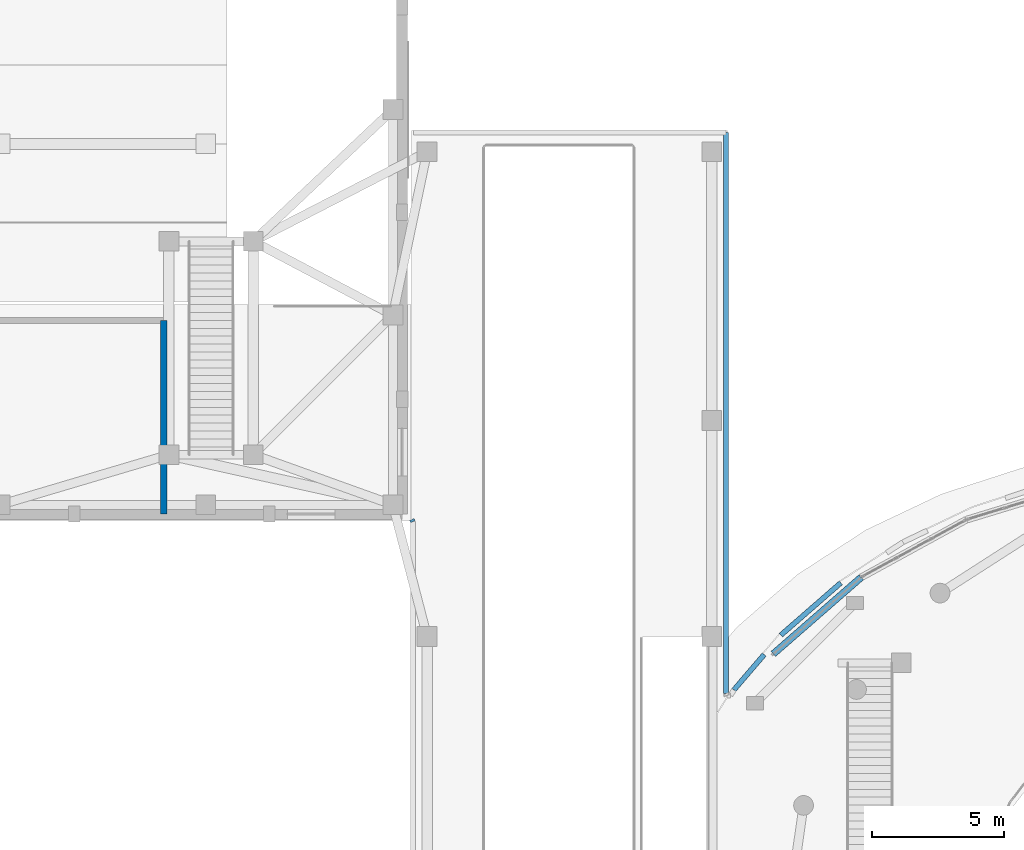
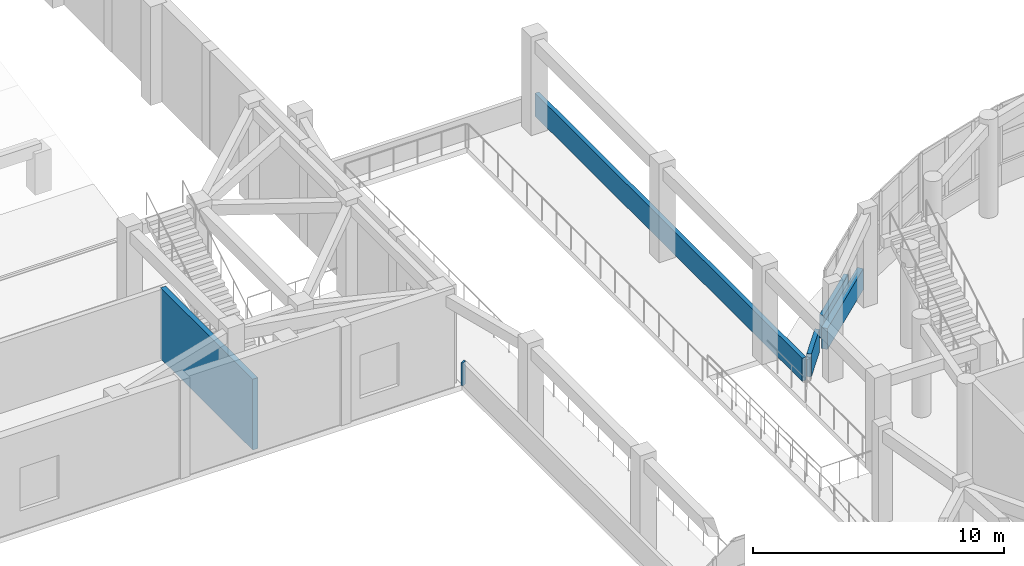
# One storey, part 76 of 98: 6 walls.
"""IFC4 building model written with IfcOpenShell, lengths in metres."""

import ifcopenshell
import ifcopenshell.guid

model = None  # the IFC model being written
_history = None  # IfcOwnerHistory: only IFC2X3 demands one
_inside = {}  # id of a spatial element -> (the spatial element, [elements in it])
_under = {}  # id of a project, library or spatial element -> (it, [spatial elements below it])
_declared = {}  # id of a project -> (the project, [libraries it declares])
_typed = {}  # id of a type object -> (the type object, [elements of that type])
_made_of = {}  # id of a material, layer set ... -> (it, [elements and type objects made of it])


def new_model(schema):
    """Start an empty IFC model of exactly this schema.

    Asked for "IFC4X3", IfcOpenShell would pick the latest addendum, in which some entities
    have other attributes; the version numbers below select the first issue.
    IFC2X3 requires an IfcOwnerHistory on every rooted entity: one is made here for all.
    """
    global model, _history
    if schema == "IFC4X3":
        model = ifcopenshell.file(schema_version=(4, 3, 0, 0))
    else:
        model = ifcopenshell.file(schema=schema)
    _inside.clear()
    _under.clear()
    _declared.clear()
    _typed.clear()
    _made_of.clear()
    _history = None
    if model.schema == "IFC2X3":
        org = make("IfcOrganization", Name="unknown")
        user = make(
            "IfcPersonAndOrganization",
            ThePerson=make("IfcPerson", FamilyName="unknown"),
            TheOrganization=org,
        )
        app = make(
            "IfcApplication",
            ApplicationDeveloper=org,
            Version="unknown",
            ApplicationFullName="unknown",
            ApplicationIdentifier="unknown",
        )
        _history = make(
            "IfcOwnerHistory",
            OwningUser=user,
            OwningApplication=app,
            ChangeAction="ADDED",
            CreationDate=0,
        )
    return model


def make(cls, **values):
    """One entity of the class cls with the attributes given. An attribute that is None is left unset."""
    return model.create_entity(
        cls, **{name: value for name, value in values.items() if value is not None}
    )


def rooted(cls, **values):
    """An entity with a GlobalId (a new one), such as an element, a storey or a relation."""
    return make(cls, GlobalId=ifcopenshell.guid.new(), OwnerHistory=_history, **values)


def si_unit(unit_type, name, prefix=None):
    """IfcSIUnit, for example si_unit("LENGTHUNIT", "METRE", prefix="MILLI")."""
    return make("IfcSIUnit", UnitType=unit_type, Prefix=prefix, Name=name)


def assignment(units):
    """IfcUnitAssignment: the units of a project."""
    return None if units is None else make("IfcUnitAssignment", Units=units)


def point(xyz):
    """IfcCartesianPoint."""
    return None if xyz is None else make("IfcCartesianPoint", Coordinates=xyz)


def direction(xyz):
    """IfcDirection."""
    return None if xyz is None else make("IfcDirection", DirectionRatios=xyz)


def frame(location, z_axis=None, x_axis=None):
    """IfcAxis2Placement3D, a coordinate frame: its origin and axes. An axis left out is left unset."""
    return make(
        "IfcAxis2Placement3D",
        Location=point(location),
        Axis=direction(z_axis),
        RefDirection=direction(x_axis),
    )


def frame_2d(location, x_axis=None):
    """IfcAxis2Placement2D, a coordinate frame in the plane: its origin and x axis."""
    return make(
        "IfcAxis2Placement2D", Location=point(location), RefDirection=direction(x_axis)
    )


def origin():
    """The frame at (0, 0, 0) with its axes left unset."""
    return frame((0.0, 0.0, 0.0))


def place(relative_to, where):
    """IfcLocalPlacement: puts the frame where relative to a parent placement (None: the world)."""
    return make(
        "IfcLocalPlacement", PlacementRelTo=relative_to, RelativePlacement=where
    )


def context(
    kind, dimensions, precision=None, world=None, true_north=None, identifier=None
):
    """IfcGeometricRepresentationContext, for example the 3D "Model" context."""
    return make(
        "IfcGeometricRepresentationContext",
        ContextIdentifier=identifier,
        ContextType=kind,
        CoordinateSpaceDimension=dimensions,
        Precision=precision,
        WorldCoordinateSystem=world,
        TrueNorth=true_north,
    )


def subcontext(parent, identifier, kind, view, scale=None):
    """IfcGeometricRepresentationSubContext, for example "Body" below "Model"."""
    return make(
        "IfcGeometricRepresentationSubContext",
        ContextIdentifier=identifier,
        ContextType=kind,
        ParentContext=parent,
        TargetScale=scale,
        TargetView=view,
    )


def project(units=None, contexts=None):
    """IfcProject with its units and contexts."""
    return rooted(
        "IfcProject",
        Name="project",
        RepresentationContexts=contexts,
        UnitsInContext=assignment(units),
    )


def spatial(cls, under=None, at=None, **own):
    """A site, building, storey or space (cls), placed at a placement, below another one or the project."""
    s = rooted(cls, ObjectPlacement=at, **own)
    if under is not None:
        _under.setdefault(under.id(), (under, []))[1].append(s)
    return s


def profile(cls, at=None, kind="AREA", **sizes):
    """A parametric profile (cls). Its sizes go by their IFC names, for example OverallWidth=200.0."""
    return make(cls, ProfileType=kind, Position=at, **sizes)


def rectangle(**sizes):
    """IfcRectangleProfileDef."""
    return profile("IfcRectangleProfileDef", **sizes)


def extrude(swept, where, along, depth):
    """IfcExtrudedAreaSolid: the profile swept, set in the frame where, extruded along a direction by depth."""
    return make(
        "IfcExtrudedAreaSolid",
        SweptArea=swept,
        Position=where,
        ExtrudedDirection=direction(along),
        Depth=depth,
    )


def shape(context_of_items, identifier, shape_type, items):
    """IfcShapeRepresentation: the items that make up one representation, for example the "Body"."""
    return make(
        "IfcShapeRepresentation",
        ContextOfItems=context_of_items,
        RepresentationIdentifier=identifier,
        RepresentationType=shape_type,
        Items=items,
    )


def material(Name=None, Category=None):
    """IfcMaterial."""
    return make("IfcMaterial", Name=Name, Category=Category)


def layer(
    of_material, thickness, ventilated=None, Name=None, Category=None, Priority=None
):
    """IfcMaterialLayer: one layer of a wall or slab, of a material (None: an air gap)."""
    return make(
        "IfcMaterialLayer",
        Material=of_material,
        LayerThickness=thickness,
        IsVentilated=ventilated,
        Name=Name,
        Category=Category,
        Priority=Priority,
    )


def layer_set(layers, Name=None):
    """IfcMaterialLayerSet."""
    return make("IfcMaterialLayerSet", MaterialLayers=layers, LayerSetName=Name)


def made_of(thing, what):
    """Note that an element or type object is made of a material, layer set ...; save() writes the relation."""
    if what is not None:
        _made_of.setdefault(what.id(), (what, []))[1].append(thing)
    return thing


def type_object(cls, material=None, **own):
    """A type object (cls), such as IfcWallType, which elements share."""
    return made_of(rooted(cls, **own), material)


def element(
    cls,
    number,
    at=None,
    inside=None,
    cuts=None,
    type_object=None,
    material=None,
    context=None,
    identifier="Body",
    shape_type=None,
    held_by="IfcProductDefinitionShape",
    body=None,
    shapes=None,
    **own,
):
    """One element of the class cls, such as IfcWall. Its Tag is "e" and its number.

    at: its placement. inside: the storey or other place that contains it. cuts: it is an
    opening in that element (IfcRelVoidsElement). A single representation is given by context,
    identifier, shape_type and body (its items); several are given by shapes. held_by: the class
    of the entity that holds the representations. save() writes the other relations.
    """
    e = rooted(cls, Tag="e%d" % number, ObjectPlacement=at, **own)
    if body is not None:
        shapes = [shape(context, identifier, shape_type, body)]
    if shapes is not None:
        e.Representation = make(held_by, Representations=shapes)
    if inside is not None:
        _inside.setdefault(inside.id(), (inside, []))[1].append(e)
    if cuts is not None:
        rooted(
            "IfcRelVoidsElement", RelatingBuildingElement=cuts, RelatedOpeningElement=e
        )
    if type_object is not None:
        _typed.setdefault(type_object.id(), (type_object, []))[1].append(e)
    return made_of(e, material)


def aggregate(whole, parts):
    """IfcRelAggregates: a whole, such as a stair, and the parts it consists of."""
    return rooted("IfcRelAggregates", RelatingObject=whole, RelatedObjects=parts)


def save(model, path):
    """Write the relations noted so far, then the file.

    IfcRelAggregates (storeys below a building ...), IfcRelContainedInSpatialStructure (elements
    in a storey), IfcRelDefinesByType, IfcRelAssociatesMaterial and IfcRelDeclares: one each for
    every whole, place, type object, material and project.
    """
    for whole, parts in _under.values():
        aggregate(whole, parts)
    for where, things in _inside.values():
        rooted(
            "IfcRelContainedInSpatialStructure",
            RelatedElements=things,
            RelatingStructure=where,
        )
    for kind, things in _typed.values():
        rooted("IfcRelDefinesByType", RelatedObjects=things, RelatingType=kind)
    for what, things in _made_of.values():
        rooted("IfcRelAssociatesMaterial", RelatedObjects=things, RelatingMaterial=what)
    for by, libraries in _declared.values():
        rooted("IfcRelDeclares", RelatingContext=by, RelatedDefinitions=libraries)
    model.write(path)


model = new_model("IFC4")

# Units and contexts
model_context = context("Model", 3, precision=1e-05, world=origin(), true_north=direction((0.0, 1.0)))
body_context = subcontext(model_context, "Body", "Model", "MODEL_VIEW")
ifc_project = project(units=[si_unit("LENGTHUNIT", "METRE"), si_unit("AREAUNIT", "SQUARE_METRE"), si_unit("VOLUMEUNIT", "CUBIC_METRE"), si_unit("PLANEANGLEUNIT", "RADIAN"), si_unit("MASSUNIT", "GRAM", prefix="KILO")], contexts=[model_context])

# Site, building, storey
site_placement = place(None, origin())
site = spatial("IfcSite", under=ifc_project, at=site_placement, CompositionType="ELEMENT")
building_placement = place(site_placement, origin())
building = spatial("IfcBuilding", under=site, at=building_placement, Name="Pelvatis Terrace Science Centre", CompositionType="ELEMENT")
storey_placement = place(building_placement, frame((0.0, 0.0, 5.39990234375)))
storey = spatial("IfcBuildingStorey", under=building, at=storey_placement, Name="L01", CompositionType="ELEMENT", Elevation=5.39990234375)

# Walls
ifc_material_1 = material(Name="White architectural precast concrete C40/50 spandrel", Category="concrete")
ifc_layer_1 = layer(ifc_material_1, 0.260009765625)
ifc_layer_set_1 = layer_set([ifc_layer_1], Name="White architectural precast concrete C40/50 spandrel")
wall_type_1 = type_object("IfcWallType", Name="WL-EXT-SPND-260", PredefinedType="SOLIDWALL", material=ifc_layer_set_1)
wall_1_placement = place(storey_placement, frame((63.87548828125, 68.046630859375, 0.0), z_axis=(0.0, 0.0, 1.0), x_axis=(-0.75379306643, -0.657111872516, 0.0)))
element("IfcWall", 1, at=wall_1_placement, inside=storey, type_object=wall_type_1, Name="V2 white spiral spandrel band 11 (L01)", PredefinedType="SOLIDWALL", context=body_context, shape_type="SweptSolid", body=[
    extrude(rectangle(XDim=4.421630859375, YDim=0.260009765625, at=frame_2d((2.2109375, 0.0))), origin(), (0.0, 0.0, 1.0), 1.02001953125),
])
ifc_material_2 = material(Name="Acoustic theatre and planetarium lobby wall", Category="masonry")
ifc_layer_2 = layer(ifc_material_2, 0.235107421875)
ifc_layer_set_2 = layer_set([ifc_layer_2], Name="Acoustic theatre and planetarium lobby wall")
wall_type_2 = type_object("IfcWallType", Name="WL-INT-ACOU-235", PredefinedType="PARTITIONING", material=ifc_layer_set_2)
wall_2_placement = place(storey_placement, frame((37.39990234375, 70.449951171875, 0.0), z_axis=(0.0, 0.0, 1.0), x_axis=(0.0, 1.0, 0.0)))
element("IfcWall", 2, at=wall_2_placement, inside=storey, type_object=wall_type_2, Name="Science Theatre Auditorium partition wall E", PredefinedType="PARTITIONING", context=body_context, shape_type="SweptSolid", body=[
    extrude(rectangle(XDim=7.35009765625, YDim=0.235107421875, at=frame_2d((3.675048828125, 0.0))), origin(), (0.0, 0.0, 1.0), 3.4501953125),
])
ifc_material_3 = material(Name="White architectural precast concrete C40/50 spandrel parapet", Category="concrete")
ifc_layer_3 = layer(ifc_material_3, 0.18994140625)
ifc_layer_set_3 = layer_set([ifc_layer_3], Name="White architectural precast concrete C40/50 spandrel parapet")
wall_type_3 = type_object("IfcWallType", Name="WL-PAR-190", PredefinedType="PARAPET", material=ifc_layer_set_3)
wall_3_placement = place(storey_placement, frame((58.739990234375, 84.93994140625, 0.0), z_axis=(0.0, 0.0, 1.0), x_axis=(0.0, -1.0, 0.0)))
element("IfcWall", 3, at=wall_3_placement, inside=storey, type_object=wall_type_3, Name="Perimeter edge closure parapet PW-EDG-L01-100", PredefinedType="PARAPET", context=body_context, shape_type="SweptSolid", body=[
    extrude(rectangle(XDim=21.30615234375, YDim=0.18994140625, at=frame_2d((10.653076171875, 0.0))), origin(), (0.0, 0.0, 1.0), 1.1201171875),
])
wall_4_placement = place(storey_placement, frame((59.045654296875, 63.7744140625, 0.0), z_axis=(0.0, 0.0, 1.0), x_axis=(0.650643249015, 0.759383541111, 0.0)))
element("IfcWall", 4, at=wall_4_placement, inside=storey, type_object=wall_type_3, Name="Perimeter edge closure parapet PW-EDG-L01-104", PredefinedType="PARAPET", context=body_context, shape_type="SweptSolid", body=[
    extrude(rectangle(XDim=1.7646484375, YDim=0.18994140625, at=frame_2d((0.88232421875, 0.0))), origin(), (0.0, 0.0, 1.0), 1.1201171875),
])
wall_5_placement = place(storey_placement, frame((60.826171875, 65.8525390625, 0.0), z_axis=(0.0, 0.0, 1.0), x_axis=(0.75376246126, 0.65714697899, 0.0)))
element("IfcWall", 5, at=wall_5_placement, inside=storey, type_object=wall_type_3, Name="Perimeter edge closure parapet PW-EDG-L01-105", PredefinedType="PARAPET", context=body_context, shape_type="SweptSolid", body=[
    extrude(rectangle(XDim=3.019775390625, YDim=0.18994140625, at=frame_2d((1.509765625, 0.0))), origin(), (0.0, 0.0, 1.0), 1.1201171875),
])
wall_6_placement = place(storey_placement, frame((46.860107421875, 70.159912109375, 0.0), z_axis=(0.0, 0.0, 1.0), x_axis=(-0.451534442976, 0.892253689713, 0.0)))
element("IfcWall", 6, at=wall_6_placement, inside=storey, type_object=wall_type_3, Name="Perimeter edge closure parapet PW-EDG-L01-238", PredefinedType="PARAPET", context=body_context, shape_type="SweptSolid", body=[
    extrude(rectangle(XDim=0.09033203125, YDim=0.18994140625, at=frame_2d((0.045166015625, 0.0))), origin(), (0.0, 0.0, 1.0), 1.1201171875),
])

save(model, "model.ifc")
